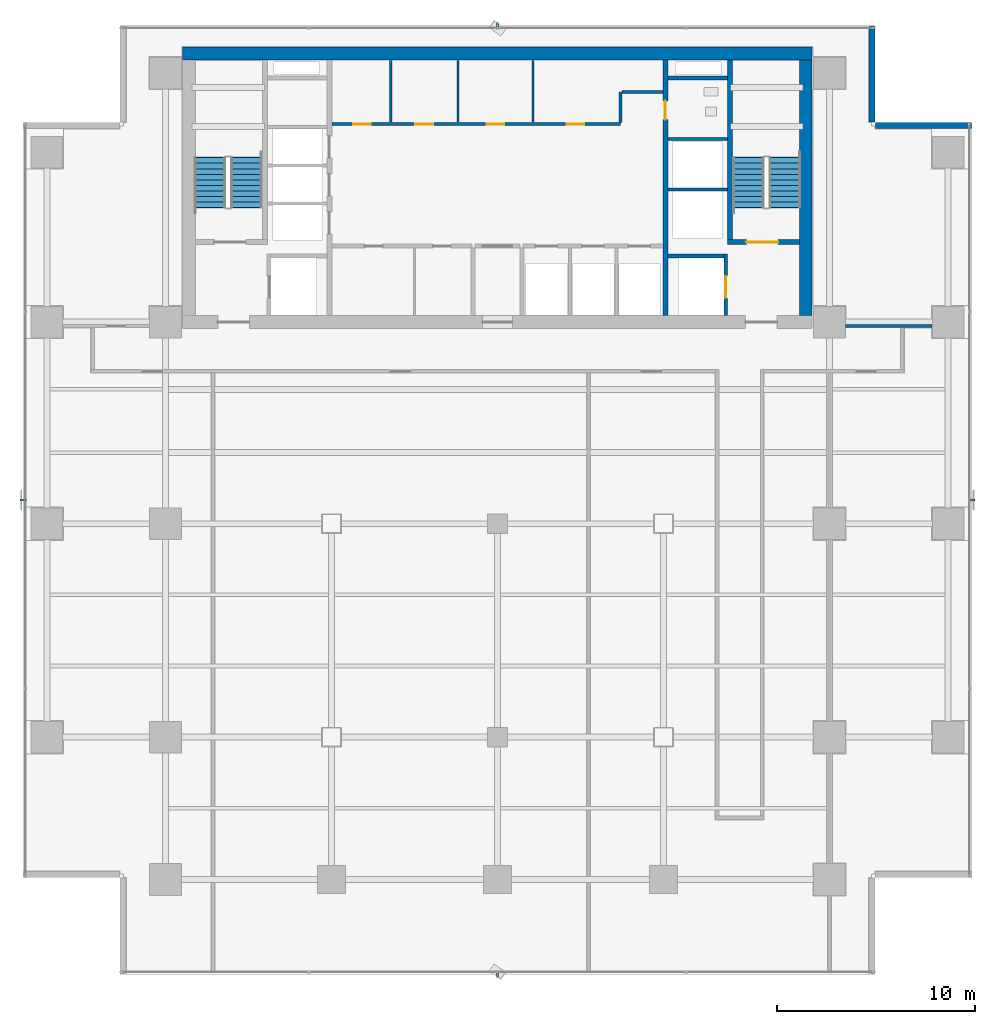
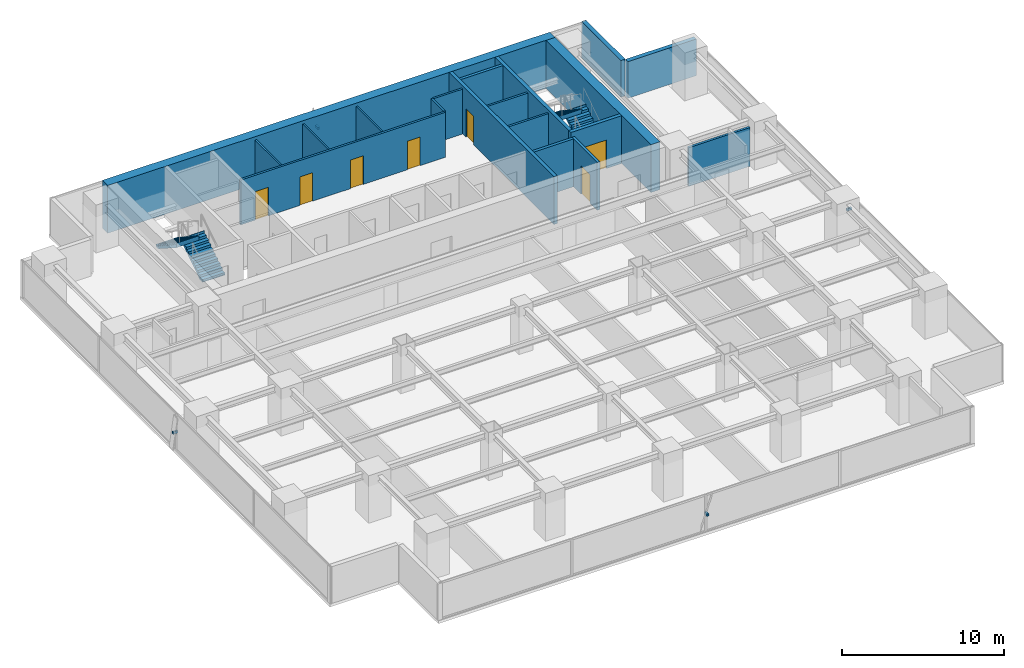
# One storey, part 22 of 27: 19 walls, 7 doors, 4 discrete accessories, 4 stair flights, 7 openings, 2 elements without a shape of their own.
"""IFC4 building model written with IfcOpenShell, lengths in metres."""

from ifc_helpers import new_model, si_unit, direction, frame, frame_2d, origin, origin_2d, place, context, subcontext, project, spatial, polyline, rectangle, outline, extrude, source, transform, mapped, material, layer, layer_set, material_profile, profile_set, type_object, element, fill, aggregate, save


model = new_model("IFC4")

# Units and contexts
model_context = context("Model", 3, precision=1e-05, world=origin(), true_north=direction((0.0, 1.0)))
body_context = subcontext(model_context, "Body", "Model", "MODEL_VIEW")
ifc_project = project(units=[si_unit("LENGTHUNIT", "METRE"), si_unit("AREAUNIT", "SQUARE_METRE"), si_unit("VOLUMEUNIT", "CUBIC_METRE"), si_unit("PLANEANGLEUNIT", "RADIAN"), si_unit("MASSUNIT", "GRAM", prefix="KILO")], contexts=[model_context])

# Site, building, storey
site_placement = place(None, origin())
site = spatial("IfcSite", under=ifc_project, at=site_placement, CompositionType="ELEMENT")
building_placement = place(site_placement, origin())
building = spatial("IfcBuilding", under=site, at=building_placement, Name="Sumidabori Civic Tower", CompositionType="ELEMENT")
storey_placement = place(building_placement, frame((0.0, 0.0, 164.0)))
storey = spatial("IfcBuildingStorey", under=building, at=storey_placement, Name="L42", CompositionType="ELEMENT", Elevation=164.0)

# Walls
ifc_material_1 = material(Name="Concrete C50/60", Category="concrete")
ifc_layer_1 = layer(ifc_material_1, 0.199951171875, Name="Concrete C50/60")
ifc_layer_set_1 = layer_set([ifc_layer_1], Name="Concrete C50/60")
wall_type_1 = type_object("IfcWallType", Name="WL-SHAFT-200", PredefinedType="SHEAR", material=ifc_layer_set_1)
shared_shape_1 = source(origin(), body_context, "Body", "SweptSolid", [
    extrude(rectangle(XDim=2.824951171875, YDim=0.199951171875, at=frame_2d((1.41259765625, 0.0))), origin(), (0.0, 0.0, 1.0), 3.60009765625),
])
wall_1_placement = place(storey_placement, frame((8.625, 13.550048828125, 0.0), z_axis=(0.0, 0.0, 1.0), x_axis=(1.0, 0.0, 0.0)))
element("IfcWall", 1, at=wall_1_placement, inside=storey, type_object=wall_type_1, Name="Core Shear Wall L42 EL2-N", PredefinedType="SHEAR", context=body_context, shape_type="MappedRepresentation", body=[
    mapped(shared_shape_1, transform((0.0, 0.0, 0.0), x_axis=(1.0, 0.0, 0.0), y_axis=(0.0, 1.0, 0.0), z_axis=(0.0, 0.0, 1.0), scale=1.0)),
])
shared_shape_2 = source(origin(), body_context, "Body", "SweptSolid", [
    extrude(rectangle(XDim=3.02001953125, YDim=0.199951171875, at=frame_2d((1.510009765625, 0.0))), origin(), (0.0, 0.0, 1.0), 3.60009765625),
])
wall_2_placement = place(storey_placement, frame((8.625, 22.550048828125, 0.0), z_axis=(0.0, 0.0, 1.0), x_axis=(1.0, 0.0, 0.0)))
element("IfcWall", 2, at=wall_2_placement, inside=storey, type_object=wall_type_1, Name="Core Shear Wall L42 RIS2-S", PredefinedType="SHEAR", context=body_context, shape_type="MappedRepresentation", body=[
    mapped(shared_shape_2, transform((0.0, 0.0, 0.0), x_axis=(1.0, 0.0, 0.0), y_axis=(0.0, 1.0, 0.0), z_axis=(0.0, 0.0, 1.0), scale=1.0)),
])
ifc_material_2 = material(Name="Concrete C60/75", Category="concrete")
ifc_layer_2 = layer(ifc_material_2, 0.64990234375, Name="Concrete C60/75")
ifc_layer_set_2 = layer_set([ifc_layer_2], Name="Concrete C60/75")
wall_type_2 = type_object("IfcWallType", Name="WL-CORE-650", PredefinedType="SHEAR", material=ifc_layer_set_2)
shared_shape_3 = source(origin(), body_context, "Body", "SweptSolid", [
    extrude(rectangle(XDim=31.85009765625, YDim=0.64990234375, at=frame_2d((15.925048828125, 0.0))), origin(), (0.0, 0.0, 1.0), 3.60009765625),
])
wall_3_placement = place(storey_placement, frame((-15.925048828125, 23.800048828125, 0.0), z_axis=(0.0, 0.0, 1.0), x_axis=(1.0, 0.0, 0.0)))
element("IfcWall", 3, at=wall_3_placement, inside=storey, type_object=wall_type_2, Name="Core Shear Wall L42 N", PredefinedType="SHEAR", context=body_context, shape_type="MappedRepresentation", body=[
    mapped(shared_shape_3, transform((0.0, 0.0, 0.0), x_axis=(1.0, 0.0, 0.0), y_axis=(0.0, 1.0, 0.0), z_axis=(0.0, 0.0, 1.0), scale=1.0)),
])
shared_shape_4 = source(origin(), body_context, "Body", "SweptSolid", [
    extrude(rectangle(XDim=12.9501953125, YDim=0.64990234375, at=frame_2d((6.47509765625, 0.0))), origin(), (0.0, 0.0, 1.0), 3.60009765625),
])
wall_4_placement = place(storey_placement, frame((15.60009765625, 10.52490234375, 0.0), z_axis=(0.0, 0.0, 1.0), x_axis=(0.0, 1.0, 0.0)))
element("IfcWall", 4, at=wall_4_placement, inside=storey, type_object=wall_type_2, Name="Core Shear Wall L42 E", PredefinedType="SHEAR", context=body_context, shape_type="MappedRepresentation", body=[
    mapped(shared_shape_4, transform((0.0, 0.0, 0.0), x_axis=(1.0, 0.0, 0.0), y_axis=(0.0, 1.0, 0.0), z_axis=(0.0, 0.0, 1.0), scale=1.0)),
])

# Wall, opening, door
ifc_layer_3 = layer(ifc_material_1, 0.25, Name="Concrete C50/60")
ifc_layer_set_3 = layer_set([ifc_layer_3], Name="Concrete C50/60")
wall_type_3 = type_object("IfcWallType", Name="WL-SHAFT-250", PredefinedType="SHEAR", material=ifc_layer_set_3)
shared_shape_5 = source(origin(), body_context, "Body", "SweptSolid", [
    extrude(rectangle(XDim=12.9501953125, YDim=0.25, at=frame_2d((6.47509765625, 0.0))), origin(), (0.0, 0.0, 1.0), 3.60009765625),
])
wall_5_placement = place(storey_placement, frame((8.5, 10.52490234375, 0.0), z_axis=(0.0, 0.0, 1.0), x_axis=(0.0, 1.0, 0.0)))
wall_5 = element("IfcWall", 5, at=wall_5_placement, inside=storey, type_object=wall_type_3, Name="Core Shear Wall L42 WEB-E", PredefinedType="SHEAR", context=body_context, shape_type="MappedRepresentation", body=[
    mapped(shared_shape_5, transform((0.0, 0.0, 0.0), x_axis=(1.0, 0.0, 0.0), y_axis=(0.0, 1.0, 0.0), z_axis=(0.0, 0.0, 1.0), scale=1.0)),
])
opening_1_placement = place(wall_5_placement, frame((9.925048828125, 0.0, 0.0)))
opening_1 = element("IfcOpeningElement", 6, at=opening_1_placement, cuts=wall_5, Name="Opening DR-2", PredefinedType="OPENING", context=body_context, shape_type="SweptSolid", body=[
    extrude(rectangle(XDim=0.949951171875, YDim=2.14990234375, at=frame_2d((0.47509765625, 1.074951171875))), frame((0.0, 0.136962890625, 0.0), z_axis=(0.0, -1.0, 0.0), x_axis=(1.0, 0.0, 0.0)), (0.0, 0.0, 1.0), 0.27392578125),
])
ifc_material_3 = material(Name="Japanese Hinoki Timber", Category="wood")
door_type_1 = type_object("IfcDoorType", Name="DR-INT-950", OperationType="NOTDEFINED", PredefinedType="DOOR", material=ifc_material_3)
shared_shape_6 = source(origin(), body_context, "Body", "SweptSolid", [
    extrude(rectangle(XDim=0.949951171875, YDim=2.14990234375, at=frame_2d((0.47509765625, 1.074951171875))), frame((0.0, 0.02490234375, 0.0), z_axis=(0.0, -1.0, 0.0), x_axis=(1.0, 0.0, 0.0)), (0.0, 0.0, 1.0), 0.050048828125),
])
door_1_placement = place(opening_1_placement, origin())
door_1 = element("IfcDoor", 7, at=door_1_placement, inside=storey, type_object=door_type_1, Name="Door DR:L42:WC-ACC", OperationType="SINGLE_SWING_RIGHT", OverallHeight=2.14990234375, OverallWidth=0.949951171875, PredefinedType="DOOR", context=body_context, shape_type="MappedRepresentation", body=[
    mapped(shared_shape_6, transform((0.0, 0.0, 0.0), x_axis=(1.0, 0.0, 0.0), y_axis=(0.0, 1.0, 0.0), z_axis=(0.0, 0.0, 1.0), scale=1.0)),
])
fill(opening_1, door_1)

shared_shape_7 = source(origin(), body_context, "Body", "SweptSolid", [
    extrude(rectangle(XDim=3.6298828125, YDim=0.25, at=frame_2d((1.81494140625, 0.0))), origin(), (0.0, 0.0, 1.0), 3.60009765625),
])
wall_6_placement = place(storey_placement, frame((11.64501953125, 14.25, 0.0), z_axis=(0.0, 0.0, 1.0), x_axis=(1.0, 0.0, 0.0)))
wall_6 = element("IfcWall", 8, at=wall_6_placement, inside=storey, type_object=wall_type_3, Name="Core Shear Wall L42 ST2-S", PredefinedType="SHEAR", context=body_context, shape_type="MappedRepresentation", body=[
    mapped(shared_shape_7, transform((0.0, 0.0, 0.0), x_axis=(1.0, 0.0, 0.0), y_axis=(0.0, 1.0, 0.0), z_axis=(0.0, 0.0, 1.0), scale=1.0)),
])
opening_2_placement = place(wall_6_placement, frame((0.949951171875, 0.0, 0.0)))
opening_2 = element("IfcOpeningElement", 9, at=opening_2_placement, cuts=wall_6, Name="Opening DR-FD4", PredefinedType="OPENING", context=body_context, shape_type="SweptSolid", body=[
    extrude(rectangle(XDim=1.60009765625, YDim=2.14990234375, at=frame_2d((0.800048828125, 1.074951171875))), frame((0.0, 0.136962890625, 0.0), z_axis=(0.0, -1.0, 0.0), x_axis=(1.0, 0.0, 0.0)), (0.0, 0.0, 1.0), 0.27392578125),
])
ifc_material_4 = material(Name="Steel SN490", Category="steel")
door_type_2 = type_object("IfcDoorType", Name="DR-FD4", OperationType="DOUBLE_DOOR_SINGLE_SWING", PredefinedType="DOOR", material=ifc_material_4)
shared_shape_8 = source(origin(), body_context, "Body", "SweptSolid", [
    extrude(rectangle(XDim=1.60009765625, YDim=2.14990234375, at=frame_2d((0.800048828125, 1.074951171875))), frame((0.0, 0.02490234375, 0.0), z_axis=(0.0, -1.0, 0.0), x_axis=(1.0, 0.0, 0.0)), (0.0, 0.0, 1.0), 0.050048828125),
])
door_2_placement = place(opening_2_placement, origin())
door_2 = element("IfcDoor", 10, at=door_2_placement, inside=storey, type_object=door_type_2, Name="Door DR:L42:ST2", OperationType="DOUBLE_DOOR_SINGLE_SWING", OverallHeight=2.14990234375, OverallWidth=1.60009765625, PredefinedType="DOOR", context=body_context, shape_type="MappedRepresentation", body=[
    mapped(shared_shape_8, transform((0.0, 0.0, 0.0), x_axis=(1.0, 0.0, 0.0), y_axis=(0.0, 1.0, 0.0), z_axis=(0.0, 0.0, 1.0), scale=1.0)),
])
fill(opening_2, door_2)

# Wall
shared_shape_9 = source(origin(), body_context, "Body", "SweptSolid", [
    extrude(rectangle(XDim=9.10009765625, YDim=0.25, at=frame_2d((4.550048828125, 0.0))), origin(), (0.0, 0.0, 1.0), 3.60009765625),
])
wall_7_placement = place(storey_placement, frame((11.77001953125, 14.375, 0.0), z_axis=(0.0, 0.0, 1.0), x_axis=(0.0, 1.0, 0.0)))
element("IfcWall", 11, at=wall_7_placement, inside=storey, type_object=wall_type_3, Name="Core Shear Wall L42 ST2-W", PredefinedType="SHEAR", context=body_context, shape_type="MappedRepresentation", body=[
    mapped(shared_shape_9, transform((0.0, 0.0, 0.0), x_axis=(1.0, 0.0, 0.0), y_axis=(0.0, 1.0, 0.0), z_axis=(0.0, 0.0, 1.0), scale=1.0)),
])

# Wall, opening, door
shared_shape_10 = source(origin(), body_context, "Body", "SweptSolid", [
    extrude(rectangle(XDim=3.125, YDim=0.199951171875, at=frame_2d((1.5625, 0.0))), origin(), (0.0, 0.0, 1.0), 3.60009765625),
])
wall_8_placement = place(storey_placement, frame((11.550048828125, 10.52490234375, 0.0), z_axis=(0.0, 0.0, 1.0), x_axis=(0.0, 1.0, 0.0)))
wall_8 = element("IfcWall", 12, at=wall_8_placement, inside=storey, type_object=wall_type_1, Name="Core Shear Wall L42 EL2-E", PredefinedType="SHEAR", context=body_context, shape_type="MappedRepresentation", body=[
    mapped(shared_shape_10, transform((0.0, 0.0, 0.0), x_axis=(1.0, 0.0, 0.0), y_axis=(0.0, 1.0, 0.0), z_axis=(0.0, 0.0, 1.0), scale=1.0)),
])
opening_3_placement = place(wall_8_placement, frame((0.89990234375, 0.0, 0.0)))
opening_3 = element("IfcOpeningElement", 13, at=opening_3_placement, cuts=wall_8, Name="Opening LD-2", PredefinedType="OPENING", context=body_context, shape_type="SweptSolid", body=[
    extrude(rectangle(XDim=1.10009765625, YDim=2.14990234375, at=frame_2d((0.550048828125, 1.074951171875))), frame((0.0, 0.11181640625, 0.0), z_axis=(0.0, -1.0, 0.0), x_axis=(1.0, 0.0, 0.0)), (0.0, 0.0, 1.0), 0.223876953125),
])
ifc_material_5 = material(Name="Stainless Steel Hairline Finish", Category="steel")
door_type_3 = type_object("IfcDoorType", Name="DR-LD2", OperationType="DOUBLE_DOOR_SLIDING", PredefinedType="DOOR", material=ifc_material_5)
shared_shape_11 = source(origin(), body_context, "Body", "SweptSolid", [
    extrude(rectangle(XDim=1.10009765625, YDim=2.14990234375, at=frame_2d((0.550048828125, 1.074951171875))), frame((0.0, 0.02490234375, 0.0), z_axis=(0.0, -1.0, 0.0), x_axis=(1.0, 0.0, 0.0)), (0.0, 0.0, 1.0), 0.050048828125),
])
door_3_placement = place(opening_3_placement, origin())
door_3 = element("IfcDoor", 14, at=door_3_placement, inside=storey, type_object=door_type_3, Name="Door DR:L42:LD-EL2", OperationType="DOUBLE_DOOR_SLIDING", OverallHeight=2.14990234375, OverallWidth=1.10009765625, PredefinedType="DOOR", context=body_context, shape_type="MappedRepresentation", body=[
    mapped(shared_shape_11, transform((0.0, 0.0, 0.0), x_axis=(1.0, 0.0, 0.0), y_axis=(0.0, 1.0, 0.0), z_axis=(0.0, 0.0, 1.0), scale=1.0)),
])
fill(opening_3, door_3)

# Walls
ifc_material_6 = material(Name="Precast concrete C40/50", Category="concrete")
ifc_layer_4 = layer(ifc_material_6, 0.300048828125, Name="Precast concrete C40/50")
ifc_layer_set_4 = layer_set([ifc_layer_4], Name="Precast concrete C40/50")
wall_type_4 = type_object("IfcWallType", Name="WL-EXT-POD300", PredefinedType="STANDARD", material=ifc_layer_set_4)
shared_shape_12 = source(origin(), body_context, "Body", "SweptSolid", [
    extrude(rectangle(XDim=4.85986328125, YDim=0.300048828125, at=frame_2d((2.429931640625, 0.0))), origin(), (0.0, 0.0, 1.0), 2.760009765625),
])
for number, where, z_axis, x_axis, name in (
    (15, (23.97998046875, 20.14990234375, 0.0), (0.0, 0.0, 1.0), (-1.0, 0.0, 0.0), "Notched Corner Spandrel Band L42-05"),
    (16, (18.949951171875, 20.320068359375, 0.0), (0.0, 0.0, 1.0), (0.0, 1.0, 0.0), "Notched Corner Spandrel Band L42-06"),
):
    element("IfcWall", number, at=place(storey_placement, frame(where, z_axis=z_axis, x_axis=x_axis)), inside=storey, type_object=wall_type_4, Name=name, PredefinedType="STANDARD", context=body_context, shape_type="MappedRepresentation", body=[
        mapped(shared_shape_12, transform((0.0, 0.0, 0.0), x_axis=(1.0, 0.0, 0.0), y_axis=(0.0, 1.0, 0.0), z_axis=(0.0, 0.0, 1.0), scale=1.0)),
    ])
ifc_material_7 = material(Name="Gypsum Plasterboard Acoustic Partition")
ifc_layer_5 = layer(ifc_material_7, 0.14990234375, Name="Gypsum Plasterboard Acoustic Partition")
ifc_layer_set_5 = layer_set([ifc_layer_5], Name="Gypsum Plasterboard Acoustic Partition")
wall_type_5 = type_object("IfcWallType", Name="WL-PART-150", PredefinedType="PARTITIONING", material=ifc_layer_set_5)
shared_shape_13 = source(origin(), body_context, "Body", "SweptSolid", [
    extrude(rectangle(XDim=3.010009765625, YDim=0.14990234375, at=frame_2d((1.5048828125, 0.0))), origin(), (0.0, 0.0, 1.0), 3.3798828125),
])
for number, where, z_axis, x_axis, name in (
    (17, (8.6298828125, 16.919921875, 0.0), (0.0, 0.0, 1.0), (1.0, 0.0, 0.0), "Interior Partition WL:L42:DIV-OBS1"),
    (18, (8.6298828125, 19.469970703125, 0.0), (0.0, 0.0, 1.0), (1.0, 0.0, 0.0), "Interior Partition WL:L42:DIV-OBS2"),
):
    element("IfcWall", number, at=place(storey_placement, frame(where, z_axis=z_axis, x_axis=x_axis)), inside=storey, type_object=wall_type_5, Name=name, PredefinedType="PARTITIONING", context=body_context, shape_type="MappedRepresentation", body=[
        mapped(shared_shape_13, transform((0.0, 0.0, 0.0), x_axis=(1.0, 0.0, 0.0), y_axis=(0.0, 1.0, 0.0), z_axis=(0.0, 0.0, 1.0), scale=1.0)),
    ])

# Wall, openings, doors
shared_shape_14 = source(origin(), body_context, "Body", "SweptSolid", [
    extrude(rectangle(XDim=14.590087890625, YDim=0.14990234375, at=frame_2d((7.294921875, 0.0))), origin(), (0.0, 0.0, 1.0), 3.3798828125),
])
wall_9_placement = place(storey_placement, frame((-8.3701171875, 20.219970703125, 0.0), z_axis=(0.0, 0.0, 1.0), x_axis=(1.0, 0.0, 0.0)))
wall_9 = element("IfcWall", 19, at=wall_9_placement, inside=storey, type_object=wall_type_5, Name="Interior Partition WL:L42:CBAND-M", PredefinedType="PARTITIONING", context=body_context, shape_type="MappedRepresentation", body=[
    mapped(shared_shape_14, transform((0.0, 0.0, 0.0), x_axis=(1.0, 0.0, 0.0), y_axis=(0.0, 1.0, 0.0), z_axis=(0.0, 0.0, 1.0), scale=1.0)),
])
opening_4_placement = place(wall_9_placement, frame((1.06005859375, 0.0, 0.0)))
opening_4 = element("IfcOpeningElement", 20, at=opening_4_placement, cuts=wall_9, Name="Opening DR-1", PredefinedType="OPENING", context=body_context, shape_type="SweptSolid", body=[
    extrude(rectangle(XDim=0.89990234375, YDim=2.14990234375, at=frame_2d((0.449951171875, 1.074951171875))), frame((0.0, 0.0869140625, 0.0), z_axis=(0.0, -1.0, 0.0), x_axis=(1.0, 0.0, 0.0)), (0.0, 0.0, 1.0), 0.173828125),
])
opening_5_placement = place(wall_9_placement, frame((4.219970703125, 0.0, 0.0)))
opening_5 = element("IfcOpeningElement", 21, at=opening_5_placement, cuts=wall_9, Name="Opening DR-1", PredefinedType="OPENING", context=body_context, shape_type="SweptSolid", body=[
    extrude(rectangle(XDim=0.89990234375, YDim=2.14990234375, at=frame_2d((0.449951171875, 1.074951171875))), frame((0.0, 0.0869140625, 0.0), z_axis=(0.0, -1.0, 0.0), x_axis=(1.0, 0.0, 0.0)), (0.0, 0.0, 1.0), 0.173828125),
])
opening_6_placement = place(wall_9_placement, frame((7.820068359375, 0.0, 0.0)))
opening_6 = element("IfcOpeningElement", 22, at=opening_6_placement, cuts=wall_9, Name="Opening DR-1", PredefinedType="OPENING", context=body_context, shape_type="SweptSolid", body=[
    extrude(rectangle(XDim=0.89990234375, YDim=2.14990234375, at=frame_2d((0.449951171875, 1.074951171875))), frame((0.0, 0.0869140625, 0.0), z_axis=(0.0, -1.0, 0.0), x_axis=(1.0, 0.0, 0.0)), (0.0, 0.0, 1.0), 0.173828125),
])
opening_7_placement = place(wall_9_placement, frame((11.8701171875, 0.0, 0.0)))
opening_7 = element("IfcOpeningElement", 23, at=opening_7_placement, cuts=wall_9, Name="Opening DR-1", PredefinedType="OPENING", context=body_context, shape_type="SweptSolid", body=[
    extrude(rectangle(XDim=0.89990234375, YDim=2.14990234375, at=frame_2d((0.449951171875, 1.074951171875))), frame((0.0, 0.0869140625, 0.0), z_axis=(0.0, -1.0, 0.0), x_axis=(1.0, 0.0, 0.0)), (0.0, 0.0, 1.0), 0.173828125),
])
door_type_4 = type_object("IfcDoorType", Name="DR-INT-900", OperationType="NOTDEFINED", PredefinedType="DOOR", material=ifc_material_3)
shared_shape_15 = source(origin(), body_context, "Body", "SweptSolid", [
    extrude(rectangle(XDim=0.89990234375, YDim=2.14990234375, at=frame_2d((0.449951171875, 1.074951171875))), frame((0.0, 0.02490234375, 0.0), z_axis=(0.0, -1.0, 0.0), x_axis=(1.0, 0.0, 0.0)), (0.0, 0.0, 1.0), 0.050048828125),
])
door_4_placement = place(opening_4_placement, origin())
door_4 = element("IfcDoor", 24, at=door_4_placement, inside=storey, type_object=door_type_4, Name="Door DR:L42:CB-1", OperationType="SINGLE_SWING_LEFT", OverallHeight=2.14990234375, OverallWidth=0.89990234375, PredefinedType="DOOR", context=body_context, shape_type="MappedRepresentation", body=[
    mapped(shared_shape_15, transform((0.0, 0.0, 0.0), x_axis=(1.0, 0.0, 0.0), y_axis=(0.0, 1.0, 0.0), z_axis=(0.0, 0.0, 1.0), scale=1.0)),
])
fill(opening_4, door_4)
door_5_placement = place(opening_5_placement, origin())
door_5 = element("IfcDoor", 25, at=door_5_placement, inside=storey, type_object=door_type_4, Name="Door DR:L42:CB-2", OperationType="SINGLE_SWING_RIGHT", OverallHeight=2.14990234375, OverallWidth=0.89990234375, PredefinedType="DOOR", context=body_context, shape_type="MappedRepresentation", body=[
    mapped(shared_shape_15, transform((0.0, 0.0, 0.0), x_axis=(1.0, 0.0, 0.0), y_axis=(0.0, 1.0, 0.0), z_axis=(0.0, 0.0, 1.0), scale=1.0)),
])
fill(opening_5, door_5)
door_6_placement = place(opening_6_placement, origin())
door_6 = element("IfcDoor", 26, at=door_6_placement, inside=storey, type_object=door_type_4, Name="Door DR:L42:CB-3", OperationType="SINGLE_SWING_LEFT", OverallHeight=2.14990234375, OverallWidth=0.89990234375, PredefinedType="DOOR", context=body_context, shape_type="MappedRepresentation", body=[
    mapped(shared_shape_15, transform((0.0, 0.0, 0.0), x_axis=(1.0, 0.0, 0.0), y_axis=(0.0, 1.0, 0.0), z_axis=(0.0, 0.0, 1.0), scale=1.0)),
])
fill(opening_6, door_6)
door_7_placement = place(opening_7_placement, origin())
door_7 = element("IfcDoor", 27, at=door_7_placement, inside=storey, type_object=door_type_4, Name="Door DR:L42:CB-4", OperationType="SINGLE_SWING_RIGHT", OverallHeight=2.14990234375, OverallWidth=0.89990234375, PredefinedType="DOOR", context=body_context, shape_type="MappedRepresentation", body=[
    mapped(shared_shape_15, transform((0.0, 0.0, 0.0), x_axis=(1.0, 0.0, 0.0), y_axis=(0.0, 1.0, 0.0), z_axis=(0.0, 0.0, 1.0), scale=1.0)),
])
fill(opening_7, door_7)

# Walls
shared_shape_16 = source(origin(), body_context, "Body", "SweptSolid", [
    extrude(rectangle(XDim=1.550048828125, YDim=0.14990234375, at=frame_2d((0.77490234375, 0.0))), origin(), (0.0, 0.0, 1.0), 3.3798828125),
])
wall_10_placement = place(storey_placement, frame((6.219970703125, 20.300048828125, 0.0), z_axis=(0.0, 0.0, 1.0), x_axis=(0.0, 1.0, 0.0)))
element("IfcWall", 28, at=wall_10_placement, inside=storey, type_object=wall_type_5, Name="Interior Partition WL:L42:CBAND-ME1", PredefinedType="PARTITIONING", context=body_context, shape_type="MappedRepresentation", body=[
    mapped(shared_shape_16, transform((0.0, 0.0, 0.0), x_axis=(1.0, 0.0, 0.0), y_axis=(0.0, 1.0, 0.0), z_axis=(0.0, 0.0, 1.0), scale=1.0)),
])
shared_shape_17 = source(origin(), body_context, "Body", "SweptSolid", [
    extrude(rectangle(XDim=2.070068359375, YDim=0.14990234375, at=frame_2d((1.03515625, 0.0))), origin(), (0.0, 0.0, 1.0), 3.3798828125),
])
wall_11_placement = place(storey_placement, frame((6.300048828125, 21.85009765625, 0.0), z_axis=(0.0, 0.0, 1.0), x_axis=(1.0, 0.0, 0.0)))
element("IfcWall", 29, at=wall_11_placement, inside=storey, type_object=wall_type_5, Name="Interior Partition WL:L42:CBAND-ME2", PredefinedType="PARTITIONING", context=body_context, shape_type="MappedRepresentation", body=[
    mapped(shared_shape_17, transform((0.0, 0.0, 0.0), x_axis=(1.0, 0.0, 0.0), y_axis=(0.0, 1.0, 0.0), z_axis=(0.0, 0.0, 1.0), scale=1.0)),
])
ifc_layer_6 = layer(ifc_material_7, 0.1201171875, Name="Gypsum Plasterboard Acoustic Partition")
ifc_layer_set_6 = layer_set([ifc_layer_6], Name="Gypsum Plasterboard Acoustic Partition")
wall_type_6 = type_object("IfcWallType", Name="WL-PART-120", PredefinedType="PARTITIONING", material=ifc_layer_set_6)
shared_shape_18 = source(origin(), body_context, "Body", "SweptSolid", [
    extrude(rectangle(XDim=3.114990234375, YDim=0.1201171875, at=frame_2d((1.5576171875, 0.0))), origin(), (0.0, 0.0, 1.0), 3.3798828125),
])
for number, where, z_axis, x_axis, name in (
    (30, (-5.39990234375, 20.320068359375, 0.0), (0.0, 0.0, 1.0), (0.0, 1.0, 0.0), "Interior Partition WL:L42:LV8-S1"),
    (31, (-2.0, 20.320068359375, 0.0), (0.0, 0.0, 1.0), (0.0, 1.0, 0.0), "Interior Partition WL:L42:LV8-S2"),
    (32, (1.800048828125, 20.320068359375, 0.0), (0.0, 0.0, 1.0), (0.0, 1.0, 0.0), "Interior Partition WL:L42:LV8-S3"),
):
    element("IfcWall", number, at=place(storey_placement, frame(where, z_axis=z_axis, x_axis=x_axis)), inside=storey, type_object=wall_type_6, Name=name, PredefinedType="PARTITIONING", context=body_context, shape_type="MappedRepresentation", body=[
        mapped(shared_shape_18, transform((0.0, 0.0, 0.0), x_axis=(1.0, 0.0, 0.0), y_axis=(0.0, 1.0, 0.0), z_axis=(0.0, 0.0, 1.0), scale=1.0)),
    ])
ifc_layer_7 = layer(ifc_material_7, 0.1650390625, Name="Gypsum Plasterboard Acoustic Partition")
ifc_layer_set_7 = layer_set([ifc_layer_7], Name="Gypsum Plasterboard Acoustic Partition")
wall_type_7 = type_object("IfcWallType", Name="WL-PART-165", PredefinedType="PARTITIONING", material=ifc_layer_set_7)
shared_shape_19 = source(origin(), body_context, "Body", "SweptSolid", [
    extrude(rectangle(XDim=4.3798828125, YDim=0.1650390625, at=frame_2d((2.18994140625, 0.0))), origin(), (0.0, 0.0, 1.0), 2.9150390625),
])
wall_12_placement = place(storey_placement, frame((17.610107421875, 10.0, 0.0), z_axis=(0.0, 0.0, 1.0), x_axis=(1.0, 0.0, 0.0)))
element("IfcWall", 33, at=wall_12_placement, inside=storey, type_object=wall_type_7, Name="Interior Partition WL:L42:FLK-NE", PredefinedType="PARTITIONING", context=body_context, shape_type="MappedRepresentation", body=[
    mapped(shared_shape_19, transform((0.0, 0.0, 0.0), x_axis=(1.0, 0.0, 0.0), y_axis=(0.0, 1.0, 0.0), z_axis=(0.0, 0.0, 1.0), scale=1.0)),
])

# Stair, stair flights
ifc_material_8 = material(Name="Concrete C40/50", Category="concrete")
stair_type = type_object("IfcStairType", Name="ST-CORE-1600", PredefinedType="HALF_TURN_STAIR", material=ifc_material_8)
stair_1_placement = place(storey_placement, origin())
stair_1 = element("IfcStair", 34, at=stair_1_placement, inside=storey, type_object=stair_type, Name="L42 ST-1", PredefinedType="HALF_TURN_STAIR")
stair_flight_type = type_object("IfcStairFlightType", Name="SF-CORE-1600", PredefinedType="STRAIGHT", material=ifc_material_8)
shared_shape_20 = source(origin(), body_context, "Body", "SweptSolid", [
    extrude(outline(polyline([(-0.02490234375, 0.0), (-0.02490234375, 0.0400390625), (0.0, 0.0400390625), (0.0, 0.179931640625), (0.280029296875, 0.179931640625), (0.280029296875, 0.360107421875), (0.56005859375, 0.360107421875), (0.56005859375, 0.5400390625), (0.840087890625, 0.5400390625), (0.840087890625, 0.719970703125), (1.1201171875, 0.719970703125), (1.1201171875, 0.89990234375), (1.39990234375, 0.89990234375), (1.39990234375, 1.080078125), (1.679931640625, 1.080078125), (1.679931640625, 1.260009765625), (1.9599609375, 1.260009765625), (1.9599609375, 1.43994140625), (2.239990234375, 1.43994140625), (2.239990234375, 1.6201171875), (2.52001953125, 1.6201171875), (2.52001953125, 1.800048828125), (2.544921875, 1.800048828125), (2.544921875, 1.650146484375), (2.52001953125, 1.44189453125), (0.277099609375, 0.0), (-0.02490234375, 0.0)])), frame((0.0, 0.800048828125, 0.0), z_axis=(0.0, -1.0, 0.0), x_axis=(1.0, 0.0, 0.0)), (0.0, 0.0, 1.0), 1.60009765625),
])
stair_flight_1_placement = place(storey_placement, frame((-12.699951171875, 16.0, 0.0), z_axis=(0.0, 0.0, 1.0), x_axis=(0.0, 1.0, 0.0)))
stair_flight_1 = element("IfcStairFlight", 35, at=stair_flight_1_placement, type_object=stair_flight_type, Name="ST-1 flight 1", NumberOfRisers=10, NumberOfTreads=9, PredefinedType="STRAIGHT", RiserHeight=0.18, TreadLength=0.28, context=body_context, shape_type="MappedRepresentation", body=[
    mapped(shared_shape_20, transform((0.0, 0.0, 0.0), x_axis=(1.0, 0.0, 0.0), y_axis=(0.0, 1.0, 0.0), z_axis=(0.0, 0.0, 1.0), scale=1.0)),
])
stair_flight_2_placement = place(storey_placement, frame((-14.5400390625, 18.52001953125, 1.800048828125), z_axis=(0.0, 0.0, 1.0), x_axis=(0.0, -1.0, 0.0)))
stair_flight_2 = element("IfcStairFlight", 36, at=stair_flight_2_placement, type_object=stair_flight_type, Name="ST-1 flight 2", NumberOfRisers=10, NumberOfTreads=9, PredefinedType="STRAIGHT", RiserHeight=0.18, TreadLength=0.28, context=body_context, shape_type="MappedRepresentation", body=[
    mapped(shared_shape_20, transform((0.0, 0.0, 0.0), x_axis=(1.0, 0.0, 0.0), y_axis=(0.0, 1.0, 0.0), z_axis=(0.0, 0.0, 1.0), scale=1.0)),
])
aggregate(stair_1, [stair_flight_1, stair_flight_2])

stair_2_placement = place(storey_placement, origin())
stair_2 = element("IfcStair", 37, at=stair_2_placement, inside=storey, type_object=stair_type, Name="L42 ST-2", PredefinedType="HALF_TURN_STAIR")
stair_flight_3_placement = place(storey_placement, frame((14.5400390625, 16.0, 0.0), z_axis=(0.0, 0.0, 1.0), x_axis=(0.0, 1.0, 0.0)))
stair_flight_3 = element("IfcStairFlight", 38, at=stair_flight_3_placement, type_object=stair_flight_type, Name="ST-2 flight 1", NumberOfRisers=10, NumberOfTreads=9, PredefinedType="STRAIGHT", RiserHeight=0.18, TreadLength=0.28, context=body_context, shape_type="MappedRepresentation", body=[
    mapped(shared_shape_20, transform((0.0, 0.0, 0.0), x_axis=(1.0, 0.0, 0.0), y_axis=(0.0, 1.0, 0.0), z_axis=(0.0, 0.0, 1.0), scale=1.0)),
])
stair_flight_4_placement = place(storey_placement, frame((12.699951171875, 18.52001953125, 1.800048828125), z_axis=(0.0, 0.0, 1.0), x_axis=(0.0, -1.0, 0.0)))
stair_flight_4 = element("IfcStairFlight", 39, at=stair_flight_4_placement, type_object=stair_flight_type, Name="ST-2 flight 2", NumberOfRisers=10, NumberOfTreads=9, PredefinedType="STRAIGHT", RiserHeight=0.18, TreadLength=0.28, context=body_context, shape_type="MappedRepresentation", body=[
    mapped(shared_shape_20, transform((0.0, 0.0, 0.0), x_axis=(1.0, 0.0, 0.0), y_axis=(0.0, 1.0, 0.0), z_axis=(0.0, 0.0, 1.0), scale=1.0)),
])
aggregate(stair_2, [stair_flight_3, stair_flight_4])

# Discrete accessories
ifc_material_profile = material_profile(ifc_material_5, rectangle(XDim=0.1201171875, YDim=0.179931640625, at=origin_2d()), Name="STEEL BRACKET 180x120")
ifc_profile_set = profile_set([ifc_material_profile], Name="Stainless Steel Hairline Finish")
discrete_accessory_type = type_object("IfcDiscreteAccessoryType", Name="AC-BRK-180", PredefinedType="BRACKET", material=ifc_profile_set)
shared_shape_21 = source(origin(), body_context, "Body", "SweptSolid", [
    extrude(rectangle(XDim=0.1201171875, YDim=0.179931640625, at=origin_2d()), origin(), (0.0, 0.0, 1.0), 0.329833984375),
])
for number, where, z_axis, x_axis, name in (
    (40, (23.830078125, 1.199951171875, 1.3701171875), (1.0, 0.0, 0.0), (0.0, 1.0, 0.0), "Bronze Fin Fixing Bracket L42-02"),
    (41, (-23.830078125, 1.199951171875, 1.3701171875), (-1.0, 0.0, 0.0), (0.0, -1.0, 0.0), "Bronze Fin Fixing Bracket L42-02"),
):
    element("IfcDiscreteAccessory", number, at=place(storey_placement, frame(where, z_axis=z_axis, x_axis=x_axis)), inside=storey, type_object=discrete_accessory_type, Name=name, PredefinedType="BRACKET", context=body_context, shape_type="MappedRepresentation", body=[
        mapped(shared_shape_21, transform((0.0, 0.0, 0.0), x_axis=(1.0, 0.0, 0.0), y_axis=(0.0, 1.0, 0.0), z_axis=(0.0, 0.0, 1.0), scale=1.0)),
    ])
shared_shape_22 = source(origin(), body_context, "Body", "SweptSolid", [
    extrude(rectangle(XDim=0.1201171875, YDim=0.179931640625, at=origin_2d()), origin(), (0.0, 0.0, 1.0), 0.330078125),
])
for number, where, z_axis, x_axis, name in (
    (42, (0.0, -22.6298828125, 1.3701171875), (0.0, -1.0, 0.0), (1.0, 0.0, 0.0), "Bronze Fin Fixing Bracket L42-02"),
    (43, (0.0, 25.030029296875, 1.3701171875), (0.0, 1.0, 0.0), (-1.0, 0.0, 0.0), "Bronze Fin Fixing Bracket L42-02"),
):
    element("IfcDiscreteAccessory", number, at=place(storey_placement, frame(where, z_axis=z_axis, x_axis=x_axis)), inside=storey, type_object=discrete_accessory_type, Name=name, PredefinedType="BRACKET", context=body_context, shape_type="MappedRepresentation", body=[
        mapped(shared_shape_22, transform((0.0, 0.0, 0.0), x_axis=(1.0, 0.0, 0.0), y_axis=(0.0, 1.0, 0.0), z_axis=(0.0, 0.0, 1.0), scale=1.0)),
    ])

save(model, "model.ifc")
